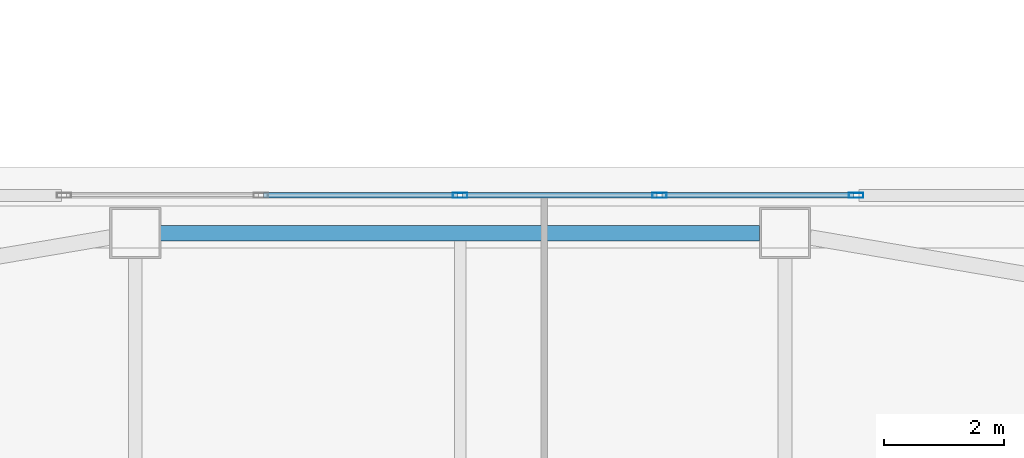
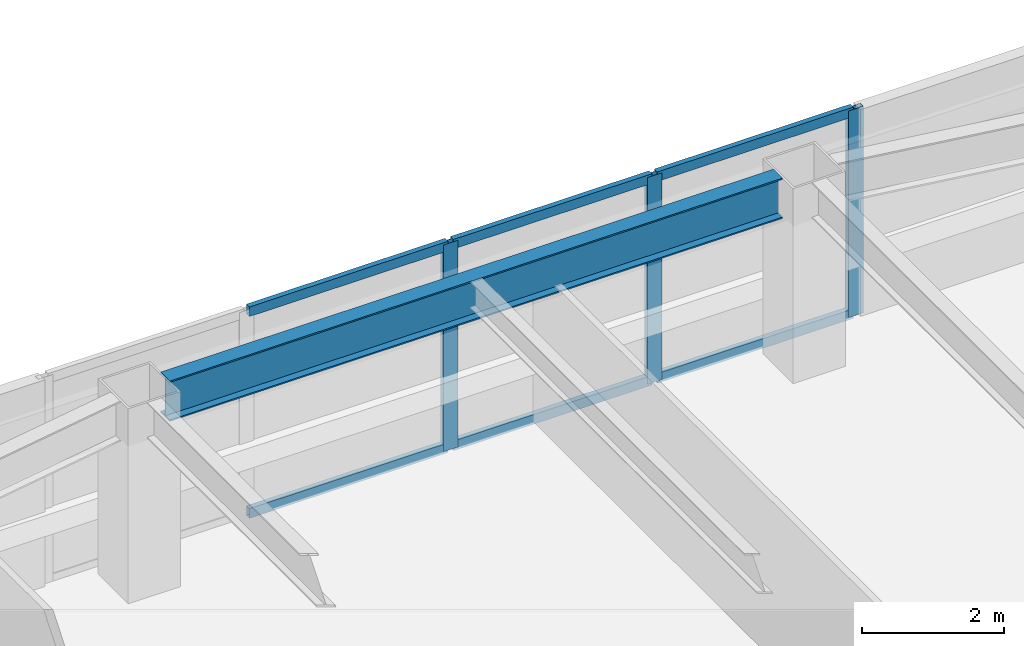
# One storey, part 14 of 47: 9 members, 1 beam, 1 element without a shape of its own.
"""IFC4 building model written with IfcOpenShell, lengths in metres."""

from ifc_helpers import new_model, si_unit, direction, frame, origin, origin_2d, place, context, subcontext, project, spatial, hollow_rectangle, i_section, extrude, material, material_profile, profile_set, type_object, element, aggregate, save


model = new_model("IFC4")

# Units and contexts
model_context = context("Model", 3, precision=1e-05, world=origin(), true_north=direction((0.0, 1.0)))
body_context = subcontext(model_context, "Body", "Model", "MODEL_VIEW")
ifc_project = project(units=[si_unit("LENGTHUNIT", "METRE"), si_unit("AREAUNIT", "SQUARE_METRE"), si_unit("VOLUMEUNIT", "CUBIC_METRE"), si_unit("PLANEANGLEUNIT", "RADIAN"), si_unit("MASSUNIT", "GRAM", prefix="KILO")], contexts=[model_context])

# Site, building, storey
site_placement = place(None, origin())
site = spatial("IfcSite", under=ifc_project, at=site_placement, CompositionType="ELEMENT")
building_placement = place(site_placement, origin())
building = spatial("IfcBuilding", under=site, at=building_placement, Name="Tashvorn Skyway Center", CompositionType="ELEMENT")
storey_placement = place(building_placement, frame((0.0, 0.0, 42.35009765625)))
storey = spatial("IfcBuildingStorey", under=building, at=storey_placement, Name="L10", CompositionType="ELEMENT", Elevation=42.35009765625)

# Beam
ifc_material_1 = material(Name="Steel ASTM A992 Grade 50", Category="steel")
ifc_material_profile_1 = material_profile(ifc_material_1, i_section(OverallWidth=0.256103515625, OverallDepth=0.693115234375, WebThickness=0.014404296875, FlangeThickness=0.023681640625, at=origin_2d()), Name="W27X114")
ifc_profile_set_1 = profile_set([ifc_material_profile_1], Name="Steel ASTM A992 Grade 50")
beam_type = type_object("IfcBeamType", Name="BM-SPANDREL-W27X114", PredefinedType="SPANDREL", material=ifc_profile_set_1)
beam_placement = place(storey_placement, frame((46.97998046875, 54.25, 3.00341796875), z_axis=(-1.0, 0.0, 0.0), x_axis=(0.0, -1.0, 0.0)))
element("IfcBeam", 1, at=beam_placement, inside=storey, type_object=beam_type, Name="Tower 1 L10 Spandrel Beam 08", PredefinedType="SPANDREL", context=body_context, shape_type="SweptSolid", body=[
    extrude(i_section(OverallWidth=0.256103515625, OverallDepth=0.693115234375, WebThickness=0.014404296875, FlangeThickness=0.023681640625, at=origin_2d()), origin(), (0.0, 0.0, 1.0), 9.9599609375),
])

# Curtain wall, members
ifc_material_2 = material(Name="Thermally broken bronze-anodized aluminium 6063-T6", Category="aluminium")
curtain_wall_type = type_object("IfcCurtainWallType", Name="CW-CW-Z1", PredefinedType="NOTDEFINED", material=ifc_material_2)
curtain_wall_placement = place(storey_placement, origin())
curtain_wall = element("IfcCurtainWall", 2, at=curtain_wall_placement, inside=storey, type_object=curtain_wall_type, Name="Tower 1 L10 North Unitised Curtain Wall Glazing Group 2", PredefinedType="NOTDEFINED")
ifc_material_profile_2 = material_profile(ifc_material_2, hollow_rectangle(XDim=0.0849609375, YDim=0.239990234375, WallThickness=0.0048828125, at=origin_2d()), Name="ALU-MULL-85x240")
ifc_profile_set_2 = profile_set([ifc_material_profile_2], Name="Thermally broken bronze-anodized aluminium 6063-T6")
member_type_1 = type_object("IfcMemberType", Name="CWM-CW-Z1", PredefinedType="MULLION", material=ifc_profile_set_2)
member_1_placement = place(storey_placement, frame((42.0, 54.8798828125, 0.0), z_axis=(0.0, 0.0, 1.0), x_axis=(0.0, 1.0, 0.0)))
member_1 = element("IfcMember", 3, at=member_1_placement, type_object=member_type_1, Name="CW-Z1 mullion 3", PredefinedType="MULLION", context=body_context, shape_type="SweptSolid", body=[
    extrude(hollow_rectangle(XDim=0.0849609375, YDim=0.239990234375, WallThickness=0.0048828125, at=origin_2d()), origin(), (0.0, 0.0, 1.0), 3.5498046875),
])
member_2_placement = place(storey_placement, frame((45.313232421875, 54.8798828125, 0.0), z_axis=(0.0, 0.0, 1.0), x_axis=(0.0, 1.0, 0.0)))
member_2 = element("IfcMember", 4, at=member_2_placement, type_object=member_type_1, Name="CW-Z1 mullion 4", PredefinedType="MULLION", context=body_context, shape_type="SweptSolid", body=[
    extrude(hollow_rectangle(XDim=0.0849609375, YDim=0.239990234375, WallThickness=0.0048828125, at=origin_2d()), origin(), (0.0, 0.0, 1.0), 3.5498046875),
])
member_3_placement = place(storey_placement, frame((48.584228515625, 54.8798828125, 0.0), z_axis=(0.0, 0.0, 1.0), x_axis=(0.0, 1.0, 0.0)))
member_3 = element("IfcMember", 5, at=member_3_placement, type_object=member_type_1, Name="CW-Z1 mullion 5", PredefinedType="MULLION", context=body_context, shape_type="SweptSolid", body=[
    extrude(hollow_rectangle(XDim=0.0849609375, YDim=0.239990234375, WallThickness=0.0048828125, at=origin_2d()), origin(), (0.0, 0.0, 1.0), 3.5498046875),
])
ifc_material_profile_3 = material_profile(ifc_material_2, hollow_rectangle(XDim=0.0849609375, YDim=0.1650390625, WallThickness=0.0048828125, at=origin_2d()), Name="ALU-TRAN-85x165")
ifc_profile_set_3 = profile_set([ifc_material_profile_3], Name="Thermally broken bronze-anodized aluminium 6063-T6")
member_type_2 = type_object("IfcMemberType", Name="CWT-CW-Z1", PredefinedType="USERDEFINED", material=ifc_profile_set_3)
member_4_placement = place(storey_placement, frame((38.729248046875, 54.8798828125, 0.04248046875), z_axis=(1.0, 0.0, 0.0), x_axis=(0.0, 1.0, 0.0)))
member_4 = element("IfcMember", 6, at=member_4_placement, type_object=member_type_2, Name="CW-Z1 transom 2.1", ObjectType="TRANSOM", PredefinedType="USERDEFINED", context=body_context, shape_type="SweptSolid", body=[
    extrude(hollow_rectangle(XDim=0.0849609375, YDim=0.1650390625, WallThickness=0.0048828125, at=origin_2d()), origin(), (0.0, 0.0, 1.0), 3.228271484375),
])
member_5_placement = place(storey_placement, frame((38.729248046875, 54.8798828125, 3.50732421875), z_axis=(1.0, 0.0, 0.0), x_axis=(0.0, 1.0, 0.0)))
member_5 = element("IfcMember", 7, at=member_5_placement, type_object=member_type_2, Name="CW-Z1 transom 2.2", ObjectType="TRANSOM", PredefinedType="USERDEFINED", context=body_context, shape_type="SweptSolid", body=[
    extrude(hollow_rectangle(XDim=0.0849609375, YDim=0.1650390625, WallThickness=0.0048828125, at=origin_2d()), origin(), (0.0, 0.0, 1.0), 3.228271484375),
])
member_6_placement = place(storey_placement, frame((42.04248046875, 54.8798828125, 0.04248046875), z_axis=(1.0, 0.0, 0.0), x_axis=(0.0, 1.0, 0.0)))
member_6 = element("IfcMember", 8, at=member_6_placement, type_object=member_type_2, Name="CW-Z1 transom 3.1", ObjectType="TRANSOM", PredefinedType="USERDEFINED", context=body_context, shape_type="SweptSolid", body=[
    extrude(hollow_rectangle(XDim=0.0849609375, YDim=0.1650390625, WallThickness=0.0048828125, at=origin_2d()), origin(), (0.0, 0.0, 1.0), 3.228271484375),
])
member_7_placement = place(storey_placement, frame((42.04248046875, 54.8798828125, 3.50732421875), z_axis=(1.0, 0.0, 0.0), x_axis=(0.0, 1.0, 0.0)))
member_7 = element("IfcMember", 9, at=member_7_placement, type_object=member_type_2, Name="CW-Z1 transom 3.2", ObjectType="TRANSOM", PredefinedType="USERDEFINED", context=body_context, shape_type="SweptSolid", body=[
    extrude(hollow_rectangle(XDim=0.0849609375, YDim=0.1650390625, WallThickness=0.0048828125, at=origin_2d()), origin(), (0.0, 0.0, 1.0), 3.228271484375),
])
member_8_placement = place(storey_placement, frame((45.35595703125, 54.8798828125, 0.04248046875), z_axis=(1.0, 0.0, 0.0), x_axis=(0.0, 1.0, 0.0)))
member_8 = element("IfcMember", 10, at=member_8_placement, type_object=member_type_2, Name="CW-Z1 transom 4.1", ObjectType="TRANSOM", PredefinedType="USERDEFINED", context=body_context, shape_type="SweptSolid", body=[
    extrude(hollow_rectangle(XDim=0.0849609375, YDim=0.1650390625, WallThickness=0.0048828125, at=origin_2d()), origin(), (0.0, 0.0, 1.0), 3.185791015625),
])
member_9_placement = place(storey_placement, frame((45.35595703125, 54.8798828125, 3.50732421875), z_axis=(1.0, 0.0, 0.0), x_axis=(0.0, 1.0, 0.0)))
member_9 = element("IfcMember", 11, at=member_9_placement, type_object=member_type_2, Name="CW-Z1 transom 4.2", ObjectType="TRANSOM", PredefinedType="USERDEFINED", context=body_context, shape_type="SweptSolid", body=[
    extrude(hollow_rectangle(XDim=0.0849609375, YDim=0.1650390625, WallThickness=0.0048828125, at=origin_2d()), origin(), (0.0, 0.0, 1.0), 3.185791015625),
])
aggregate(curtain_wall, [member_1, member_2, member_3, member_4, member_5, member_6, member_7, member_8, member_9])

save(model, "model.ifc")
